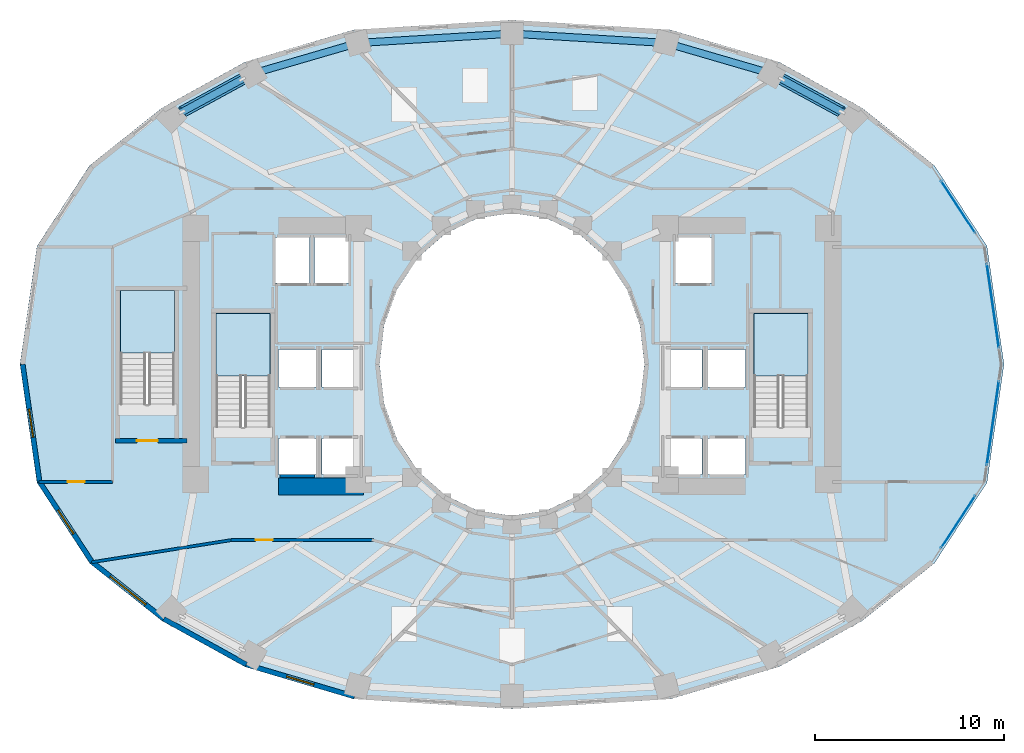
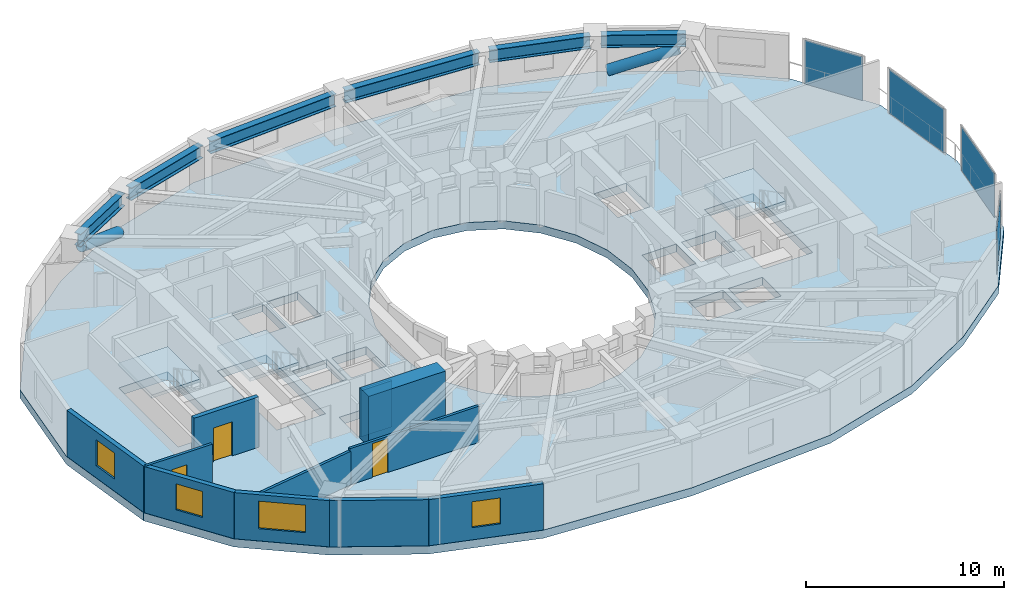
# One storey, part 6 of 15: 11 walls, 6 beams, 4 plates, 4 slabs, 4 windows, 3 doors, 2 members, 7 openings, 7 elements without a shape of their own.
"""IFC4 building model written with IfcOpenShell, lengths in metres."""

from ifc_helpers import new_model, si_unit, direction, frame, frame_2d, origin, origin_2d, place, context, subcontext, project, spatial, polyline, rectangle, hollow_circle, i_section, outline, extrude, material, layer, layer_set, material_profile, profile_set, type_object, element, fill, aggregate, save


model = new_model("IFC4")

# Units and contexts
model_context = context("Model", 3, precision=1e-05, world=origin(), true_north=direction((0.0, 1.0)))
body_context = subcontext(model_context, "Body", "Model", "MODEL_VIEW")
ifc_project = project(units=[si_unit("LENGTHUNIT", "METRE"), si_unit("AREAUNIT", "SQUARE_METRE"), si_unit("VOLUMEUNIT", "CUBIC_METRE"), si_unit("PLANEANGLEUNIT", "RADIAN"), si_unit("MASSUNIT", "GRAM", prefix="KILO")], contexts=[model_context])

# Site, building, storey
site_placement = place(None, origin())
site = spatial("IfcSite", under=ifc_project, at=site_placement, CompositionType="ELEMENT")
building_placement = place(site_placement, origin())
building = spatial("IfcBuilding", under=site, at=building_placement, Name="Solvane Sanctuary Tower", CompositionType="ELEMENT")
storey_placement = place(building_placement, frame((0.0, 0.0, 46.199951171875)))
storey = spatial("IfcBuildingStorey", under=building, at=storey_placement, Name="L13", CompositionType="ELEMENT", Elevation=46.199951171875)

# Beams
ifc_material_1 = material(Name="Steel ASTM A992 Grade 50", Category="steel")
ifc_material_profile_1 = material_profile(ifc_material_1, i_section(OverallWidth=0.382080078125, OverallDepth=0.779052734375, WebThickness=0.01806640625, FlangeThickness=0.030029296875, FilletRadius=0.02001953125, at=origin_2d()), Name="W30X191")
ifc_profile_set_1 = profile_set([ifc_material_profile_1], Name="Steel ASTM A992 Grade 50")
beam_type = type_object("IfcBeamType", Name="Beam B-SPAND-Z1 W30X191", PredefinedType="SPANDREL", material=ifc_profile_set_1)
beam_1_placement = place(storey_placement, frame((14.254150390625, 36.169189453125, 2.488525390625), z_axis=(0.878060556078, 0.478549537519, 0.0), x_axis=(-0.478549537519, 0.878060556078, 0.0)))
element("IfcBeam", 1, at=beam_1_placement, inside=storey, type_object=beam_type, Name="L13 Perimeter Spandrel Beam TC07-TC06", PredefinedType="SPANDREL", context=body_context, shape_type="SweptSolid", body=[
    extrude(i_section(OverallWidth=0.382080078125, OverallDepth=0.779052734375, WebThickness=0.01806640625, FlangeThickness=0.030029296875, FilletRadius=0.02001953125, at=origin_2d()), origin(), (0.0, 0.0, 1.0), 4.296630859375),
])
beam_2_placement = place(storey_placement, frame((18.54150390625, 38.437744140625, 2.488525390625), z_axis=(0.960096217722, 0.279669899553, 0.0), x_axis=(-0.279669899553, 0.960096217722, 0.0)))
element("IfcBeam", 2, at=beam_2_placement, inside=storey, type_object=beam_type, Name="L13 Perimeter Spandrel Beam TC06-TC05", PredefinedType="SPANDREL", context=body_context, shape_type="SweptSolid", body=[
    extrude(i_section(OverallWidth=0.382080078125, OverallDepth=0.779052734375, WebThickness=0.01806640625, FlangeThickness=0.030029296875, FilletRadius=0.02001953125, at=origin_2d()), origin(), (0.0, 0.0, 1.0), 5.25439453125),
])
for number, where, z_axis, x_axis, name in (
    (3, (24.134521484375, 40.00244140625, 2.488525390625), (0.998162966989, 0.060586230553, 0.0), (-0.060586230553, 0.998162966989, 0.0), "L13 Perimeter Spandrel Beam TC05-TC04"),
    (4, (32.279541015625, 40.462890625, 2.488525390625), (0.998162966989, -0.060586230553, 0.0), (0.060586230553, 0.998162966989, 0.0), "L13 Perimeter Spandrel Beam TC04-TC03"),
):
    element("IfcBeam", number, at=place(storey_placement, frame(where, z_axis=z_axis, x_axis=x_axis)), inside=storey, type_object=beam_type, Name=name, PredefinedType="SPANDREL", context=body_context, shape_type="SweptSolid", body=[
        extrude(i_section(OverallWidth=0.382080078125, OverallDepth=0.779052734375, WebThickness=0.01806640625, FlangeThickness=0.030029296875, FilletRadius=0.02001953125, at=origin_2d()), origin(), (0.0, 0.0, 1.0), 7.599853515625),
    ])
beam_3_placement = place(storey_placement, frame((40.413818359375, 39.9072265625, 2.488525390625), z_axis=(0.960096217722, -0.279669899553, 0.0), x_axis=(0.279669899553, 0.960096217722, 0.0)))
element("IfcBeam", 5, at=beam_3_placement, inside=storey, type_object=beam_type, Name="L13 Perimeter Spandrel Beam TC03-TC02", PredefinedType="SPANDREL", context=body_context, shape_type="SweptSolid", body=[
    extrude(i_section(OverallWidth=0.382080078125, OverallDepth=0.779052734375, WebThickness=0.01806640625, FlangeThickness=0.030029296875, FilletRadius=0.02001953125, at=origin_2d()), origin(), (0.0, 0.0, 1.0), 5.25439453125),
])
beam_4_placement = place(storey_placement, frame((45.97314453125, 38.225341796875, 2.488525390625), z_axis=(0.878060556078, -0.478549537519, 0.0), x_axis=(0.478549537519, 0.878060556078, 0.0)))
element("IfcBeam", 6, at=beam_4_placement, inside=storey, type_object=beam_type, Name="L13 Perimeter Spandrel Beam TC02-TC01", PredefinedType="SPANDREL", context=body_context, shape_type="SweptSolid", body=[
    extrude(i_section(OverallWidth=0.382080078125, OverallDepth=0.779052734375, WebThickness=0.01806640625, FlangeThickness=0.030029296875, FilletRadius=0.02001953125, at=origin_2d()), origin(), (0.0, 0.0, 1.0), 4.296630859375),
])

# Members
ifc_material_profile_2 = material_profile(ifc_material_1, hollow_circle(Radius=0.304931640625, WallThickness=0.01611328125, at=origin_2d()), Name="CHS610X16")
ifc_profile_set_2 = profile_set([ifc_material_profile_2], Name="Steel ASTM A992 Grade 50")
member_type = type_object("IfcMemberType", Name="Member M-TUBE-Z1 CHS610X16", PredefinedType="BRACE", material=ifc_profile_set_2)
for number, where, z_axis, x_axis, name in (
    (7, (46.262451171875, 38.067626953125, 0.595947265625), (0.827757582726, -0.451121829397, 0.333626256882), (0.478539548862, 0.878065999897, 0.0), "L13 Perimeter Braced-Tube Diagonal NE"),
    (8, (17.737548828125, 38.067626953125, 0.595947265625), (-0.827757582726, -0.451121829397, 0.333626256882), (0.478539548862, -0.878065999897, 0.0), "L13 Perimeter Braced-Tube Diagonal NW"),
):
    element("IfcMember", number, at=place(storey_placement, frame(where, z_axis=z_axis, x_axis=x_axis)), inside=storey, type_object=member_type, Name=name, PredefinedType="BRACE", context=body_context, shape_type="SweptSolid", body=[
        extrude(hollow_circle(Radius=0.304931640625, WallThickness=0.01611328125, at=origin_2d()), origin(), (0.0, 0.0, 1.0), 3.83154296875),
    ])

# Curtain wall, plate
ifc_material_2 = material(Name="Anodised Aluminium 6063-T6", Category="aluminium")
ifc_layer_1 = layer(ifc_material_2, 0.2099609375, Name="Anodised Aluminium 6063-T6")
ifc_layer_set_1 = layer_set([ifc_layer_1], Name="Anodised Aluminium 6063-T6")
curtain_wall_type = type_object("IfcCurtainWallType", Name="Curtain Wall CW-PORTAL", PredefinedType="NOTDEFINED", material=ifc_layer_set_1)
curtain_wall_1_placement = place(storey_placement, origin())
curtain_wall_1 = element("IfcCurtainWall", 9, at=curtain_wall_1_placement, inside=storey, type_object=curtain_wall_type, Name="L13 CW-PORTAL Facade Run 00", PredefinedType="NOTDEFINED")
ifc_material_3 = material(Name="Dark Ceramic-Fritted Low-E Glass", Category="glass")
ifc_layer_2 = layer(ifc_material_3, 0.031982421875, Name="Dark Ceramic-Fritted Low-E Glass")
ifc_layer_set_2 = layer_set([ifc_layer_2], Name="Dark Ceramic-Fritted Low-E Glass")
plate_type = type_object("IfcPlateType", Name="Plate PN-FRIT-VIS", PredefinedType="CURTAIN_PANEL", material=ifc_layer_set_2)
plate_1_placement = place(storey_placement, frame((57.413330078125, 26.1025390625, 0.065185546875), z_axis=(0.0, 0.0, 1.0), x_axis=(-0.142503929979, 0.989794236162, 0.0)))
plate_1 = element("IfcPlate", 10, at=plate_1_placement, type_object=plate_type, Name="CW-PORTAL panel 1.1", PredefinedType="CURTAIN_PANEL", context=body_context, shape_type="SweptSolid", body=[
    extrude(rectangle(XDim=4.479248046875, YDim=0.031982421875, at=origin_2d()), origin(), (0.0, 0.0, 1.0), 2.7099609375),
])
aggregate(curtain_wall_1, [plate_1])

curtain_wall_2_placement = place(storey_placement, origin())
curtain_wall_2 = element("IfcCurtainWall", 11, at=curtain_wall_2_placement, inside=storey, type_object=curtain_wall_type, Name="L13 CW-PORTAL Facade Run 01", PredefinedType="NOTDEFINED")
plate_2_placement = place(storey_placement, frame((55.580078125, 31.3232421875, 0.065185546875), z_axis=(0.0, 0.0, 1.0), x_axis=(-0.547701943571, 0.836673521159, 0.0)))
plate_2 = element("IfcPlate", 12, at=plate_2_placement, type_object=plate_type, Name="CW-PORTAL panel 1.1", PredefinedType="CURTAIN_PANEL", context=body_context, shape_type="SweptSolid", body=[
    extrude(rectangle(XDim=3.2724609375, YDim=0.031982421875, at=origin_2d()), origin(), (0.0, 0.0, 1.0), 2.7099609375),
])
aggregate(curtain_wall_2, [plate_2])

curtain_wall_3_placement = place(storey_placement, origin())
curtain_wall_3 = element("IfcCurtainWall", 13, at=curtain_wall_3_placement, inside=storey, type_object=curtain_wall_type, Name="L13 CW-PORTAL Facade Run 22", PredefinedType="NOTDEFINED")
plate_3_placement = place(storey_placement, frame((55.580078125, 14.6767578125, 0.065185546875), z_axis=(0.0, 0.0, 1.0), x_axis=(0.547701943571, 0.836673521159, 0.0)))
plate_3 = element("IfcPlate", 14, at=plate_3_placement, type_object=plate_type, Name="CW-PORTAL panel 1.1", PredefinedType="CURTAIN_PANEL", context=body_context, shape_type="SweptSolid", body=[
    extrude(rectangle(XDim=3.2724609375, YDim=0.031982421875, at=origin_2d()), origin(), (0.0, 0.0, 1.0), 2.7099609375),
])
aggregate(curtain_wall_3, [plate_3])

curtain_wall_4_placement = place(storey_placement, origin())
curtain_wall_4 = element("IfcCurtainWall", 15, at=curtain_wall_4_placement, inside=storey, type_object=curtain_wall_type, Name="L13 CW-PORTAL Facade Run 23", PredefinedType="NOTDEFINED")
plate_4_placement = place(storey_placement, frame((57.413330078125, 19.8974609375, 0.065185546875), z_axis=(0.0, 0.0, 1.0), x_axis=(0.142503929979, 0.989794236162, 0.0)))
plate_4 = element("IfcPlate", 16, at=plate_4_placement, type_object=plate_type, Name="CW-PORTAL panel 1.1", PredefinedType="CURTAIN_PANEL", context=body_context, shape_type="SweptSolid", body=[
    extrude(rectangle(XDim=4.479248046875, YDim=0.031982421875, at=origin_2d()), origin(), (0.0, 0.0, 1.0), 2.7099609375),
])
aggregate(curtain_wall_4, [plate_4])

# Stair, slab
ifc_material_4 = material(Name="Concrete C45/55", Category="concrete")
stair_type = type_object("IfcStairType", Name="Stair ST-TOW", PredefinedType="HALF_TURN_STAIR", material=ifc_material_4)
stair_1_placement = place(storey_placement, origin())
stair_1 = element("IfcStair", 17, at=stair_1_placement, inside=storey, type_object=stair_type, Name="L13 Exit Stair ST-1 West Core", PredefinedType="HALF_TURN_STAIR")
ifc_layer_3 = layer(ifc_material_4, 0.199951171875, Name="Concrete C45/55")
ifc_layer_set_3 = layer_set([ifc_layer_3], Name="Concrete C45/55")
slab_type_1 = type_object("IfcSlabType", Name="Slab SL-LAND-180", PredefinedType="LANDING", material=ifc_layer_set_3)
slab_1_placement = place(storey_placement, frame((0.0, 0.0, 1.35009765625)))
slab_1 = element("IfcSlab", 18, at=slab_1_placement, type_object=slab_type_1, Name="ST-1 landing 1", PredefinedType="LANDING", context=body_context, shape_type="SweptSolid", body=[
    extrude(outline(polyline([(19.219970703125, 22.39990234375), (19.219970703125, 25.699951171875), (16.360107421875, 25.699951171875), (16.360107421875, 22.39990234375), (19.219970703125, 22.39990234375)])), origin(), (0.0, 0.0, 1.0), 0.199951171875),
])
aggregate(stair_1, [slab_1])

stair_2_placement = place(storey_placement, origin())
stair_2 = element("IfcStair", 19, at=stair_2_placement, inside=storey, type_object=stair_type, Name="L13 Exit Stair ST-2 East Core", PredefinedType="HALF_TURN_STAIR")
slab_2_placement = place(storey_placement, frame((0.0, 0.0, 1.35009765625)))
slab_2 = element("IfcSlab", 20, at=slab_2_placement, type_object=slab_type_1, Name="ST-2 landing 1", PredefinedType="LANDING", context=body_context, shape_type="SweptSolid", body=[
    extrude(outline(polyline([(47.639892578125, 22.39990234375), (47.639892578125, 25.699951171875), (44.780029296875, 25.699951171875), (44.780029296875, 22.39990234375), (47.639892578125, 22.39990234375)])), origin(), (0.0, 0.0, 1.0), 0.199951171875),
])
aggregate(stair_2, [slab_2])

stair_3_placement = place(storey_placement, origin())
stair_3 = element("IfcStair", 21, at=stair_3_placement, inside=storey, type_object=stair_type, Name="L13 Exit Stair ST-3 Pilgrim Tower Stair", PredefinedType="HALF_TURN_STAIR")
slab_3_placement = place(storey_placement, frame((0.0, 0.0, 1.35009765625)))
slab_3 = element("IfcSlab", 22, at=slab_3_placement, type_object=slab_type_1, Name="ST-3 landing 1", PredefinedType="LANDING", context=body_context, shape_type="SweptSolid", body=[
    extrude(outline(polyline([(14.159912109375, 23.60009765625), (14.159912109375, 26.89990234375), (11.300048828125, 26.89990234375), (11.300048828125, 23.60009765625), (14.159912109375, 23.60009765625)])), origin(), (0.0, 0.0, 1.0), 0.199951171875),
])
aggregate(stair_3, [slab_3])

# Slab
ifc_material_5 = material(Name="Concrete C60/75", Category="concrete")
ifc_layer_4 = layer(ifc_material_5, 0.5, Name="Concrete C60/75")
ifc_layer_set_4 = layer_set([ifc_layer_4], Name="Concrete C60/75")
slab_type_2 = type_object("IfcSlabType", Name="Slab SL-XFER-500", PredefinedType="FLOOR", material=ifc_layer_set_4)
slab_4_placement = place(storey_placement, frame((0.0, 0.0, -0.5)))
element("IfcSlab", 23, at=slab_4_placement, inside=storey, type_object=slab_type_2, Name="L13 Primary Structural Slab", PredefinedType="FLOOR", context=body_context, shape_type="SweptSolid", body=[
    extrude(outline(polyline([(58.0, 23.0), (57.101806640625, 29.25048828125), (54.31396484375, 33.516845703125), (50.504150390625, 36.547607421875), (46.1181640625, 38.977294921875), (40.376708984375, 40.6806640625), (32.0, 41.199951171875), (23.623291015625, 40.6806640625), (17.8818359375, 38.977294921875), (13.495849609375, 36.547607421875), (9.68603515625, 33.516845703125), (6.898193359375, 29.25048828125), (6.0, 23.0), (6.898193359375, 16.74951171875), (9.68603515625, 12.483154296875), (13.495849609375, 9.452392578125), (17.8818359375, 7.022705078125), (23.623291015625, 5.3193359375), (32.0, 4.800048828125), (40.376708984375, 5.3193359375), (46.1181640625, 7.022705078125), (50.504150390625, 9.452392578125), (54.31396484375, 12.483154296875), (57.101806640625, 16.74951171875), (58.0, 23.0)]), holes=[polyline([(38.761474609375, 20.929443359375), (38.062255859375, 19.0), (36.94970703125, 17.343017578125), (35.5, 16.07177734375), (33.811767578125, 15.272705078125), (32.0, 15.0), (30.188232421875, 15.272705078125), (28.5, 16.07177734375), (27.05029296875, 17.343017578125), (25.937744140625, 19.0), (25.238525390625, 20.929443359375), (25.0, 23.0), (25.238525390625, 25.070556640625), (25.937744140625, 27.0), (27.05029296875, 28.656982421875), (28.5, 29.92822265625), (30.188232421875, 30.727294921875), (32.0, 31.0), (33.811767578125, 30.727294921875), (35.5, 29.92822265625), (36.94970703125, 28.656982421875), (38.062255859375, 27.0), (38.761474609375, 25.070556640625), (39.0, 23.0), (38.761474609375, 20.929443359375)]), polyline([(16.360107421875, 19.699951171875), (16.360107421875, 25.699951171875), (19.219970703125, 25.699951171875), (19.219970703125, 19.699951171875), (16.360107421875, 19.699951171875)]), polyline([(44.780029296875, 19.699951171875), (44.780029296875, 25.699951171875), (47.639892578125, 25.699951171875), (47.639892578125, 19.699951171875), (44.780029296875, 19.699951171875)]), polyline([(11.300048828125, 20.89990234375), (11.300048828125, 26.89990234375), (14.159912109375, 26.89990234375), (14.159912109375, 20.89990234375), (11.300048828125, 20.89990234375)]), polyline([(19.64990234375, 19.080078125), (21.64990234375, 19.080078125), (21.64990234375, 17.179931640625), (19.64990234375, 17.179931640625), (19.64990234375, 19.080078125)]), polyline([(21.949951171875, 19.080078125), (23.949951171875, 19.080078125), (23.949951171875, 17.179931640625), (21.949951171875, 17.179931640625), (21.949951171875, 19.080078125)]), polyline([(40.050048828125, 19.080078125), (42.050048828125, 19.080078125), (42.050048828125, 17.179931640625), (40.050048828125, 17.179931640625), (40.050048828125, 19.080078125)]), polyline([(42.35009765625, 19.080078125), (44.35009765625, 19.080078125), (44.35009765625, 17.179931640625), (42.35009765625, 17.179931640625), (42.35009765625, 19.080078125)]), polyline([(19.64990234375, 23.800048828125), (21.64990234375, 23.800048828125), (21.64990234375, 21.800048828125), (19.64990234375, 21.800048828125), (19.64990234375, 23.800048828125)]), polyline([(42.35009765625, 23.800048828125), (44.35009765625, 23.800048828125), (44.35009765625, 21.800048828125), (42.35009765625, 21.800048828125), (42.35009765625, 23.800048828125)]), polyline([(21.949951171875, 23.800048828125), (23.949951171875, 23.800048828125), (23.949951171875, 21.800048828125), (21.949951171875, 21.800048828125), (21.949951171875, 23.800048828125)]), polyline([(40.050048828125, 23.800048828125), (42.050048828125, 23.800048828125), (42.050048828125, 21.800048828125), (40.050048828125, 21.800048828125), (40.050048828125, 23.800048828125)]), polyline([(19.5, 29.699951171875), (21.300048828125, 29.699951171875), (21.300048828125, 27.300048828125), (19.5, 27.300048828125), (19.5, 29.699951171875)]), polyline([(21.550048828125, 29.699951171875), (23.35009765625, 29.699951171875), (23.35009765625, 27.300048828125), (21.550048828125, 27.300048828125), (21.550048828125, 29.699951171875)]), polyline([(40.64990234375, 29.699951171875), (42.550048828125, 29.699951171875), (42.550048828125, 27.300048828125), (40.64990234375, 27.300048828125), (40.64990234375, 29.699951171875)])]), origin(), (0.0, 0.0, 1.0), 0.5),
])

# Wall
ifc_material_6 = material(Name="Concrete C70/85", Category="concrete")
ifc_layer_5 = layer(ifc_material_6, 0.89990234375, Name="Concrete C70/85")
ifc_layer_set_5 = layer_set([ifc_layer_5], Name="Concrete C70/85")
wall_type_1 = type_object("IfcWallType", Name="Wall W-CORE-900", PredefinedType="SHEAR", material=ifc_layer_set_5)
wall_1_placement = place(storey_placement, frame((19.64990234375, 16.550048828125, 0.0), z_axis=(0.0, 0.0, 1.0), x_axis=(1.0, 0.0, 0.0)))
element("IfcWall", 24, at=wall_1_placement, inside=storey, type_object=wall_type_1, Name="L13 Core Shear Wall WC-S", PredefinedType="SHEAR", context=body_context, shape_type="SweptSolid", body=[
    extrude(rectangle(XDim=4.5, YDim=0.89990234375, at=frame_2d((2.25, 0.0))), origin(), (0.0, 0.0, 1.0), 3.10009765625),
])

# Wall, opening, door
ifc_material_7 = material(Name="Acoustic Gypsum Partition Board")
ifc_layer_6 = layer(ifc_material_7, 0.14990234375, Name="Acoustic Gypsum Partition Board")
ifc_layer_set_6 = layer_set([ifc_layer_6], Name="Acoustic Gypsum Partition Board")
wall_type_2 = type_object("IfcWallType", Name="Wall W-CORR-150", PredefinedType="PARTITIONING", material=ifc_layer_set_6)
wall_2_placement = place(storey_placement, frame((7.013671875, 16.788330078125, 0.0), z_axis=(0.0, 0.0, 1.0), x_axis=(1.0, 0.0, 0.0)))
wall_2 = element("IfcWall", 25, at=wall_2_placement, inside=storey, type_object=wall_type_2, Name="L13 West Shoulder South Wall", PredefinedType="PARTITIONING", context=body_context, shape_type="SweptSolid", body=[
    extrude(rectangle(XDim=3.8662109375, YDim=0.14990234375, at=frame_2d((1.93310546875, 0.0))), origin(), (0.0, 0.0, 1.0), 2.85498046875),
])
opening_1_placement = place(wall_2_placement, frame((1.503173828125, 0.0, 0.0)))
opening_1 = element("IfcOpeningElement", 26, at=opening_1_placement, cuts=wall_2, Name="Opening D-L13-09", PredefinedType="OPENING", context=body_context, shape_type="SweptSolid", body=[
    extrude(rectangle(XDim=0.89990234375, YDim=2.10009765625, at=frame_2d((0.449951171875, 1.050048828125))), frame((0.0, 0.0849609375, 0.0), z_axis=(0.0, -1.0, 0.0), x_axis=(1.0, 0.0, 0.0)), (0.0, 0.0, 1.0), 0.169921875),
])
ifc_material_8 = material(Name="Engineered Tropical Hardwood", Category="wood")
door_type_1 = type_object("IfcDoorType", Name="Door D-WET-900", OperationType="NOTDEFINED", PredefinedType="DOOR", material=ifc_material_8)
door_1_placement = place(opening_1_placement, origin())
door_1 = element("IfcDoor", 27, at=door_1_placement, inside=storey, type_object=door_type_1, Name="L13 West Shoulder South Door", OperationType="SINGLE_SWING_RIGHT", OverallHeight=2.10009765625, OverallWidth=0.89990234375, PredefinedType="DOOR", context=body_context, shape_type="SweptSolid", body=[
    extrude(rectangle(XDim=0.89990234375, YDim=2.10009765625, at=frame_2d((0.449951171875, 1.050048828125))), frame((0.0, 0.02490234375, 0.0), z_axis=(0.0, -1.0, 0.0), x_axis=(1.0, 0.0, 0.0)), (0.0, 0.0, 1.0), 0.050048828125),
])
fill(opening_1, door_1)

wall_3_placement = place(storey_placement, frame((17.14990234375, 13.719970703125, 0.0), z_axis=(0.0, 0.0, 1.0), x_axis=(1.0, 0.0, 0.0)))
wall_3 = element("IfcWall", 28, at=wall_3_placement, inside=storey, type_object=wall_type_2, Name="L13 SW Corner Corridor Wall", PredefinedType="PARTITIONING", context=body_context, shape_type="SweptSolid", body=[
    extrude(rectangle(XDim=7.52001953125, YDim=0.14990234375, at=frame_2d((3.760009765625, 0.0))), origin(), (0.0, 0.0, 1.0), 2.237060546875),
])
opening_2_placement = place(wall_3_placement, frame((1.300048828125, 0.0, 0.0)))
opening_2 = element("IfcOpeningElement", 29, at=opening_2_placement, cuts=wall_3, Name="Opening D-L13-13", PredefinedType="OPENING", context=body_context, shape_type="SweptSolid", body=[
    extrude(rectangle(XDim=0.89990234375, YDim=2.10009765625, at=frame_2d((0.449951171875, 1.050048828125))), frame((0.0, 0.0849609375, 0.0), z_axis=(0.0, -1.0, 0.0), x_axis=(1.0, 0.0, 0.0)), (0.0, 0.0, 1.0), 0.169921875),
])
door_2_placement = place(opening_2_placement, origin())
door_2 = element("IfcDoor", 30, at=door_2_placement, inside=storey, type_object=door_type_1, Name="L13 SW Corner Salon Door", OperationType="SINGLE_SWING_RIGHT", OverallHeight=2.10009765625, OverallWidth=0.89990234375, PredefinedType="DOOR", context=body_context, shape_type="SweptSolid", body=[
    extrude(rectangle(XDim=0.89990234375, YDim=2.10009765625, at=frame_2d((0.449951171875, 1.050048828125))), frame((0.0, 0.02490234375, 0.0), z_axis=(0.0, -1.0, 0.0), x_axis=(1.0, 0.0, 0.0)), (0.0, 0.0, 1.0), 0.050048828125),
])
fill(opening_2, door_2)

# Wall
wall_4_placement = place(storey_placement, frame((17.24951171875, 13.727783203125, 0.0), z_axis=(0.0, 0.0, 1.0), x_axis=(-0.987655781226, -0.156639898525, 0.0)))
element("IfcWall", 31, at=wall_4_placement, inside=storey, type_object=wall_type_2, Name="L13 SW Corner Wing Wall", PredefinedType="PARTITIONING", context=body_context, shape_type="SweptSolid", body=[
    extrude(rectangle(XDim=7.551513671875, YDim=0.14990234375, at=frame_2d((3.77587890625, 0.0))), origin(), (0.0, 0.0, 1.0), 2.069091796875),
])

# Wall, opening, window
ifc_material_9 = material(Name="Precast concrete C40/50", Category="concrete")
ifc_layer_7 = layer(ifc_material_9, 0.260009765625, Name="Precast concrete C40/50")
ifc_layer_set_7 = layer_set([ifc_layer_7], Name="Precast concrete C40/50")
wall_type_3 = type_object("IfcWallType", Name="Wall W-EXT-250", PredefinedType="STANDARD", material=ifc_layer_set_7)
wall_5_placement = place(storey_placement, frame((6.139892578125, 23.0, 0.0), z_axis=(0.0, 0.0, 1.0), x_axis=(0.142528001686, -0.989790770181, 0.0)))
wall_5 = element("IfcWall", 32, at=wall_5_placement, inside=storey, type_object=wall_type_3, Name="L13 Ceramic-Printed Facade Wall 12", PredefinedType="STANDARD", context=body_context, shape_type="SweptSolid", body=[
    extrude(rectangle(XDim=6.269287109375, YDim=0.260009765625, at=frame_2d((3.134765625, 0.0))), origin(), (0.0, 0.0, 1.0), 2.85009765625),
])
opening_3_placement = place(wall_5_placement, frame((2.384521484375, 0.0, 0.75)))
opening_3 = element("IfcOpeningElement", 33, at=opening_3_placement, cuts=wall_5, Name="Opening WN-OPER-1500", PredefinedType="OPENING", context=body_context, shape_type="SweptSolid", body=[
    extrude(rectangle(XDim=1.5, YDim=1.60009765625, at=frame_2d((0.75, 0.800048828125))), frame((0.0, 0.139892578125, 0.0), z_axis=(0.0, -1.0, 0.0), x_axis=(1.0, 0.0, 0.0)), (0.0, 0.0, 1.0), 0.280029296875),
])
window_type_1 = type_object("IfcWindowType", Name="Window WN-OPER-1500", PartitioningType="SINGLE_PANEL", PredefinedType="WINDOW", material=ifc_material_3)
window_1_placement = place(opening_3_placement, origin())
window_1 = element("IfcWindow", 34, at=window_1_placement, inside=storey, type_object=window_type_1, Name="L13 Operable Facade Window 12", OverallHeight=1.60009765625, OverallWidth=1.5, PartitioningType="SINGLE_PANEL", PredefinedType="WINDOW", context=body_context, shape_type="SweptSolid", body=[
    extrude(rectangle(XDim=1.5, YDim=1.60009765625, at=frame_2d((0.75, 0.800048828125))), frame((0.0, 0.030029296875, 0.0), z_axis=(0.0, -1.0, 0.0), x_axis=(1.0, 0.0, 0.0)), (0.0, 0.0, 1.0), 0.06005859375),
])
fill(opening_3, window_1)

wall_6_placement = place(storey_placement, frame((7.033447265625, 16.794677734375, 0.0), z_axis=(0.0, 0.0, 1.0), x_axis=(0.547702757047, -0.836672988642, 0.0)))
wall_6 = element("IfcWall", 35, at=wall_6_placement, inside=storey, type_object=wall_type_3, Name="L13 Ceramic-Printed Facade Wall 13", PredefinedType="STANDARD", context=body_context, shape_type="SweptSolid", body=[
    extrude(rectangle(XDim=5.0625, YDim=0.260009765625, at=frame_2d((2.53125, 0.0))), origin(), (0.0, 0.0, 1.0), 2.85009765625),
])
opening_4_placement = place(wall_6_placement, frame((1.78125, 0.0, 0.75)))
opening_4 = element("IfcOpeningElement", 36, at=opening_4_placement, cuts=wall_6, Name="Opening WN-OPER-1500", PredefinedType="OPENING", context=body_context, shape_type="SweptSolid", body=[
    extrude(rectangle(XDim=1.5, YDim=1.60009765625, at=frame_2d((0.75, 0.800048828125))), frame((0.0, 0.139892578125, 0.0), z_axis=(0.0, -1.0, 0.0), x_axis=(1.0, 0.0, 0.0)), (0.0, 0.0, 1.0), 0.280029296875),
])
window_2_placement = place(opening_4_placement, origin())
window_2 = element("IfcWindow", 37, at=window_2_placement, inside=storey, type_object=window_type_1, Name="L13 Operable Facade Window 13", OverallHeight=1.60009765625, OverallWidth=1.5, PartitioningType="SINGLE_PANEL", PredefinedType="WINDOW", context=body_context, shape_type="SweptSolid", body=[
    extrude(rectangle(XDim=1.5, YDim=1.60009765625, at=frame_2d((0.75, 0.800048828125))), frame((0.0, 0.030029296875, 0.0), z_axis=(0.0, -1.0, 0.0), x_axis=(1.0, 0.0, 0.0)), (0.0, 0.0, 1.0), 0.06005859375),
])
fill(opening_4, window_2)

wall_7_placement = place(storey_placement, frame((9.80615234375, 12.55908203125, 0.0), z_axis=(0.0, 0.0, 1.0), x_axis=(0.783123133379, -0.621866672179, 0.0)))
wall_7 = element("IfcWall", 38, at=wall_7_placement, inside=storey, type_object=wall_type_3, Name="L13 Ceramic-Printed Facade Wall 14", PredefinedType="STANDARD", context=body_context, shape_type="SweptSolid", body=[
    extrude(rectangle(XDim=4.838623046875, YDim=0.260009765625, at=frame_2d((2.41943359375, 0.0))), origin(), (0.0, 0.0, 1.0), 2.85009765625),
])
opening_5_placement = place(wall_7_placement, frame((1.21923828125, 0.0, 0.75)))
opening_5 = element("IfcOpeningElement", 39, at=opening_5_placement, cuts=wall_7, Name="Opening WN-RIB-2400", PredefinedType="OPENING", context=body_context, shape_type="SweptSolid", body=[
    extrude(rectangle(XDim=2.39990234375, YDim=1.699951171875, at=frame_2d((1.199951171875, 0.85009765625))), frame((0.0, 0.139892578125, 0.0), z_axis=(0.0, -1.0, 0.0), x_axis=(1.0, 0.0, 0.0)), (0.0, 0.0, 1.0), 0.280029296875),
])
window_type_2 = type_object("IfcWindowType", Name="Window WN-RIB-2400", PartitioningType="SINGLE_PANEL", PredefinedType="WINDOW", material=ifc_material_3)
window_3_placement = place(opening_5_placement, origin())
window_3 = element("IfcWindow", 40, at=window_3_placement, inside=storey, type_object=window_type_2, Name="L13 Operable Facade Window 14", OverallHeight=1.699951171875, OverallWidth=2.39990234375, PartitioningType="SINGLE_PANEL", PredefinedType="WINDOW", context=body_context, shape_type="SweptSolid", body=[
    extrude(rectangle(XDim=2.39990234375, YDim=1.699951171875, at=frame_2d((1.199951171875, 0.85009765625))), frame((0.0, 0.030029296875, 0.0), z_axis=(0.0, -1.0, 0.0), x_axis=(1.0, 0.0, 0.0)), (0.0, 0.0, 1.0), 0.06005859375),
])
fill(opening_5, window_3)

# Wall
wall_8_placement = place(storey_placement, frame((13.595458984375, 9.550048828125, 0.0), z_axis=(0.0, 0.0, 1.0), x_axis=(0.875137303239, -0.483874674352, 0.0)))
element("IfcWall", 41, at=wall_8_placement, inside=storey, type_object=wall_type_3, Name="L13 Ceramic-Printed Facade Wall 15", PredefinedType="STANDARD", context=body_context, shape_type="SweptSolid", body=[
    extrude(rectangle(XDim=4.985107421875, YDim=0.260009765625, at=frame_2d((2.49267578125, 0.0))), origin(), (0.0, 0.0, 1.0), 2.85009765625),
])

# Wall, opening, window
wall_9_placement = place(storey_placement, frame((17.9580078125, 7.137939453125, 0.0), z_axis=(0.0, 0.0, 1.0), x_axis=(0.958843593522, -0.283934786811, 0.0)))
wall_9 = element("IfcWall", 42, at=wall_9_placement, inside=storey, type_object=wall_type_3, Name="L13 Ceramic-Printed Facade Wall 16", PredefinedType="STANDARD", context=body_context, shape_type="SweptSolid", body=[
    extrude(rectangle(XDim=5.955322265625, YDim=0.260009765625, at=frame_2d((2.9775390625, 0.0))), origin(), (0.0, 0.0, 1.0), 2.85009765625),
])
opening_6_placement = place(wall_9_placement, frame((2.227783203125, 0.0, 0.75)))
opening_6 = element("IfcOpeningElement", 43, at=opening_6_placement, cuts=wall_9, Name="Opening WN-OPER-1500", PredefinedType="OPENING", context=body_context, shape_type="SweptSolid", body=[
    extrude(rectangle(XDim=1.5, YDim=1.60009765625, at=frame_2d((0.75, 0.800048828125))), frame((0.0, 0.139892578125, 0.0), z_axis=(0.0, -1.0, 0.0), x_axis=(1.0, 0.0, 0.0)), (0.0, 0.0, 1.0), 0.280029296875),
])
window_4_placement = place(opening_6_placement, origin())
window_4 = element("IfcWindow", 44, at=window_4_placement, inside=storey, type_object=window_type_1, Name="L13 Operable Facade Window 16", OverallHeight=1.60009765625, OverallWidth=1.5, PartitioningType="SINGLE_PANEL", PredefinedType="WINDOW", context=body_context, shape_type="SweptSolid", body=[
    extrude(rectangle(XDim=1.5, YDim=1.60009765625, at=frame_2d((0.75, 0.800048828125))), frame((0.0, 0.030029296875, 0.0), z_axis=(0.0, -1.0, 0.0), x_axis=(1.0, 0.0, 0.0)), (0.0, 0.0, 1.0), 0.06005859375),
])
fill(opening_6, window_4)

# Wall
ifc_material_10 = material(Name="Concrete C50/60", Category="concrete")
ifc_layer_8 = layer(ifc_material_10, 0.14990234375, Name="Concrete C50/60")
ifc_layer_set_8 = layer_set([ifc_layer_8], Name="Concrete C50/60")
wall_type_4 = type_object("IfcWallType", Name="Wall W-SHAFT-150", PredefinedType="SOLIDWALL", material=ifc_layer_set_8)
wall_10_placement = place(storey_placement, frame((19.739990234375, 17.10009765625, 0.0), z_axis=(0.0, 0.0, 1.0), x_axis=(1.0, 0.0, 0.0)))
element("IfcWall", 45, at=wall_10_placement, inside=storey, type_object=wall_type_4, Name="L13 PL-1 Lift Shaft Wall B", PredefinedType="SOLIDWALL", context=body_context, shape_type="SweptSolid", body=[
    extrude(rectangle(XDim=1.820068359375, YDim=0.14990234375, at=frame_2d((0.91015625, 0.0))), origin(), (0.0, 0.0, 1.0), 2.85498046875),
])

# Wall, opening, door
ifc_layer_9 = layer(ifc_material_10, 0.25, Name="Concrete C50/60")
ifc_layer_set_9 = layer_set([ifc_layer_9], Name="Concrete C50/60")
wall_type_5 = type_object("IfcWallType", Name="Wall W-SHAFT-250", PredefinedType="SOLIDWALL", material=ifc_layer_set_9)
wall_11_placement = place(storey_placement, frame((11.044921875, 18.969970703125, 0.0), z_axis=(0.0, 0.0, 1.0), x_axis=(1.0, 0.0, 0.0)))
wall_11 = element("IfcWall", 46, at=wall_11_placement, inside=storey, type_object=wall_type_5, Name="L13 ST-3 Load-Bearing Shaft Wall S", PredefinedType="SOLIDWALL", context=body_context, shape_type="SweptSolid", body=[
    extrude(rectangle(XDim=3.781982421875, YDim=0.25, at=frame_2d((1.89111328125, 0.0))), origin(), (0.0, 0.0, 1.0), 3.10009765625),
])
opening_7_placement = place(wall_11_placement, frame((1.135009765625, 0.0, 0.0)))
opening_7 = element("IfcOpeningElement", 47, at=opening_7_placement, cuts=wall_11, Name="Opening D-L13-03", PredefinedType="OPENING", context=body_context, shape_type="SweptSolid", body=[
    extrude(rectangle(XDim=1.10009765625, YDim=2.10009765625, at=frame_2d((0.550048828125, 1.050048828125))), frame((0.0, 0.135009765625, 0.0), z_axis=(0.0, -1.0, 0.0), x_axis=(1.0, 0.0, 0.0)), (0.0, 0.0, 1.0), 0.27001953125),
])
ifc_material_11 = material(Name="Architectural Stainless Steel 316", Category="steel")
door_type_2 = type_object("IfcDoorType", Name="Door D-STAIR", OperationType="NOTDEFINED", PredefinedType="DOOR", material=ifc_material_11)
door_3_placement = place(opening_7_placement, origin())
door_3 = element("IfcDoor", 48, at=door_3_placement, inside=storey, type_object=door_type_2, Name="L13 ST-3 Exit Stair Fire Door", OperationType="SINGLE_SWING_LEFT", OverallHeight=2.10009765625, OverallWidth=1.10009765625, PredefinedType="DOOR", context=body_context, shape_type="SweptSolid", body=[
    extrude(rectangle(XDim=1.10009765625, YDim=2.10009765625, at=frame_2d((0.550048828125, 1.050048828125))), frame((0.0, 0.02490234375, 0.0), z_axis=(0.0, -1.0, 0.0), x_axis=(1.0, 0.0, 0.0)), (0.0, 0.0, 1.0), 0.050048828125),
])
fill(opening_7, door_3)

save(model, "model.ifc")
